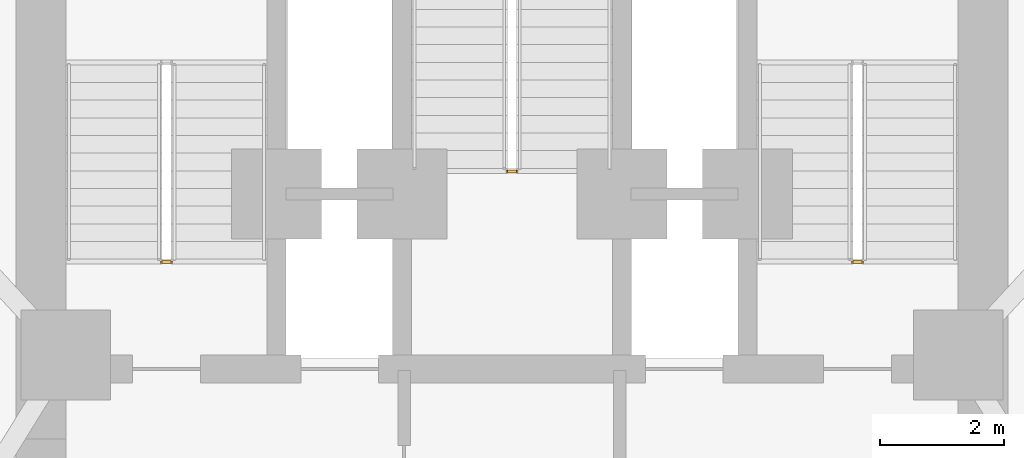
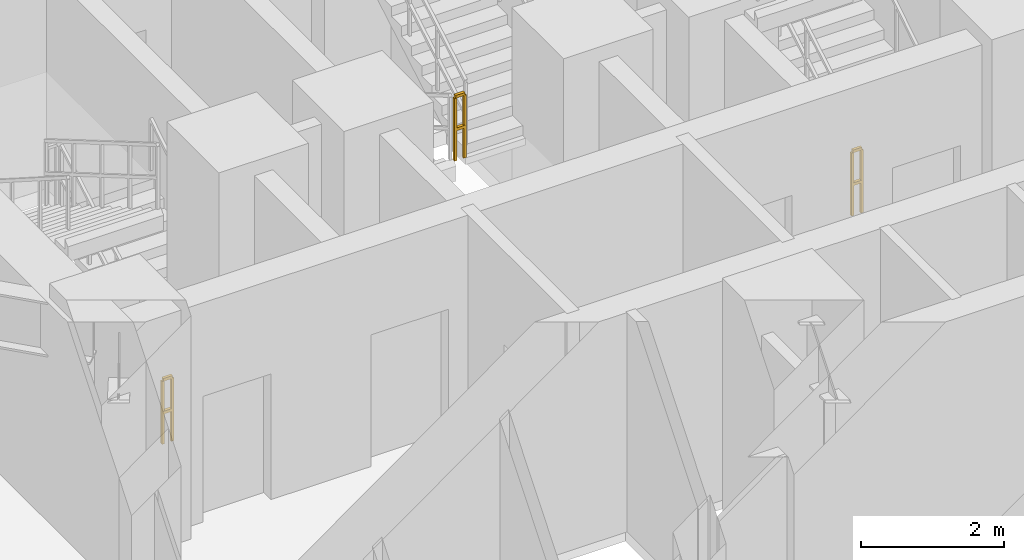
# One storey, part 11 of 14: 3 railings.
"""IFC4 building model written with IfcOpenShell, lengths in metres."""

from ifc_helpers import new_model, si_unit, direction, frame, origin, origin_2d, place, context, subcontext, project, spatial, rectangle, extrude, material, type_object, element, save


model = new_model("IFC4")

# Units and contexts
model_context = context("Model", 3, precision=1e-05, world=origin(), true_north=direction((0.0, 1.0)))
body_context = subcontext(model_context, "Body", "Model", "MODEL_VIEW")
ifc_project = project(units=[si_unit("LENGTHUNIT", "METRE"), si_unit("AREAUNIT", "SQUARE_METRE"), si_unit("VOLUMEUNIT", "CUBIC_METRE"), si_unit("PLANEANGLEUNIT", "RADIAN"), si_unit("MASSUNIT", "GRAM", prefix="KILO")], contexts=[model_context])

# Site, building, storey
site_placement = place(None, origin())
site = spatial("IfcSite", under=ifc_project, at=site_placement, CompositionType="ELEMENT")
building_placement = place(site_placement, origin())
building = spatial("IfcBuilding", under=site, at=building_placement, Name="Apsidion Concourse Tower", CompositionType="ELEMENT")
storey_placement = place(building_placement, frame((0.0, 0.0, 79.0)))
storey = spatial("IfcBuildingStorey", under=building, at=storey_placement, Name="L17", CompositionType="ELEMENT", Elevation=79.0)

# Railings
ifc_material = material(Name="Brushed stainless steel 316", Category="steel")
railing_type = type_object("IfcRailingType", Name="RL-GUARD-1100", PredefinedType="GUARDRAIL", material=ifc_material)
for number, where, name in (
    (1, (-5.5, 2.949951171875, 0.0), "L17 ST1 stair guard 4"),
    (2, (5.64990234375, 2.949951171875, 0.0), "L17 ST2 stair guard 4"),
):
    element("IfcRailing", number, at=place(storey_placement, frame(where)), inside=storey, type_object=railing_type, Name=name, PredefinedType="GUARDRAIL", context=body_context, shape_type="SweptSolid", body=[
        extrude(rectangle(XDim=0.048095703125, YDim=0.048095703125, at=origin_2d()), frame((0.0, 0.0, 1.09619140625), z_axis=(-1.0, 0.0, 0.0), x_axis=(0.0, -1.0, 0.0)), (0.0, 0.0, 1.0), 0.14990234375),
        extrude(rectangle(XDim=0.048095703125, YDim=0.048095703125, at=origin_2d()), frame((0.0, 0.0, 0.5361328125), z_axis=(-1.0, 0.0, 0.0), x_axis=(0.0, -1.0, 0.0)), (0.0, 0.0, 1.0), 0.14990234375),
        extrude(rectangle(XDim=0.0419921875, YDim=0.0419921875, at=origin_2d()), origin(), (0.0, 0.0, 1.0), 1.072021484375),
        extrude(rectangle(XDim=0.0419921875, YDim=0.0419921875, at=origin_2d()), frame((-0.14990234375, 0.0, 0.0)), (0.0, 0.0, 1.0), 1.072021484375),
    ])
railing_placement = place(storey_placement, frame((-0.074951171875, 4.4150390625, 2.0)))
element("IfcRailing", 3, at=railing_placement, inside=storey, type_object=railing_type, Name="L17 ST3 stair guard 2", PredefinedType="GUARDRAIL", context=body_context, shape_type="SweptSolid", body=[
    extrude(rectangle(XDim=0.048095703125, YDim=0.048095703125, at=origin_2d()), frame((0.0, 0.0, 1.09619140625), z_axis=(1.0, 0.0, 0.0), x_axis=(0.0, 1.0, 0.0)), (0.0, 0.0, 1.0), 0.14990234375),
    extrude(rectangle(XDim=0.048095703125, YDim=0.048095703125, at=origin_2d()), frame((0.0, 0.0, 0.5361328125), z_axis=(1.0, 0.0, 0.0), x_axis=(0.0, 1.0, 0.0)), (0.0, 0.0, 1.0), 0.14990234375),
    extrude(rectangle(XDim=0.0419921875, YDim=0.0419921875, at=origin_2d()), origin(), (0.0, 0.0, 1.0), 1.072021484375),
    extrude(rectangle(XDim=0.0419921875, YDim=0.0419921875, at=origin_2d()), frame((0.14990234375, 0.0, 0.0)), (0.0, 0.0, 1.0), 1.072021484375),
])

save(model, "model.ifc")
